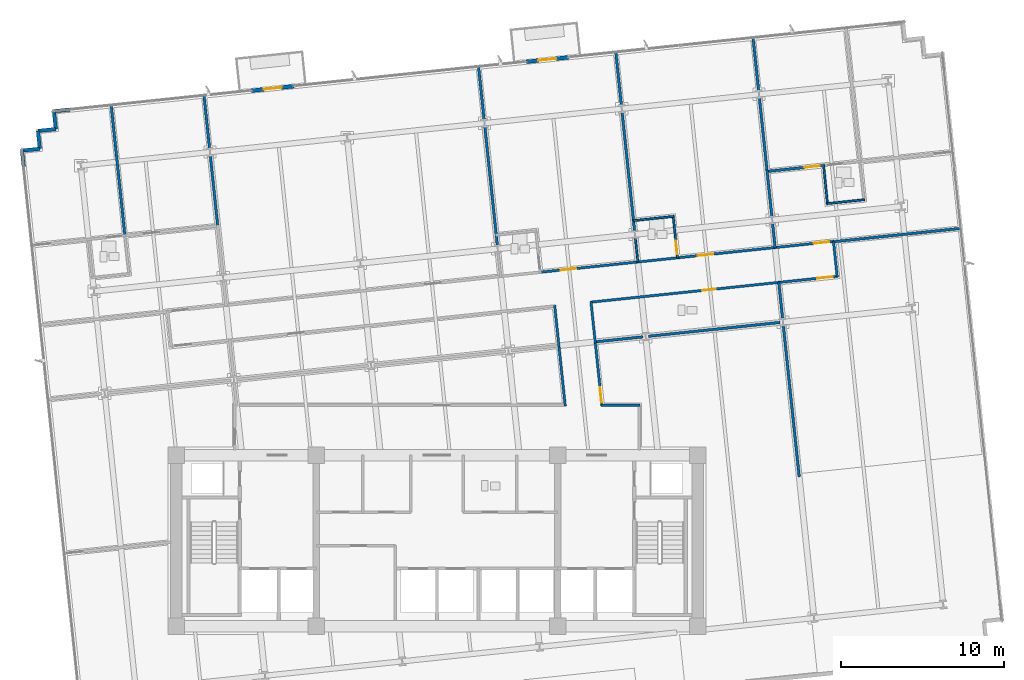
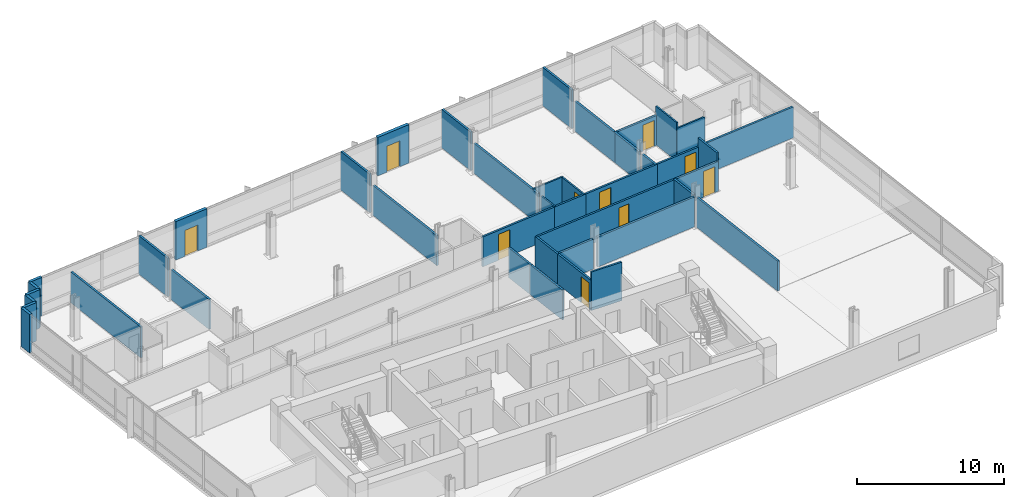
# One storey, part 12 of 18: 42 walls, 10 doors, 10 openings.
"""IFC4 building model written with IfcOpenShell, lengths in metres."""

from ifc_helpers import new_model, si_unit, direction, frame, frame_2d, origin, place, context, subcontext, project, spatial, rectangle, extrude, material, layer, layer_set, type_object, element, fill, save


model = new_model("IFC4")

# Units and contexts
model_context = context("Model", 3, precision=1e-05, world=origin(), true_north=direction((0.0, 1.0)))
body_context = subcontext(model_context, "Body", "Model", "MODEL_VIEW")
ifc_project = project(units=[si_unit("LENGTHUNIT", "METRE"), si_unit("AREAUNIT", "SQUARE_METRE"), si_unit("VOLUMEUNIT", "CUBIC_METRE"), si_unit("PLANEANGLEUNIT", "RADIAN"), si_unit("MASSUNIT", "GRAM", prefix="KILO")], contexts=[model_context])

# Site, building, storey
site_placement = place(None, origin())
site = spatial("IfcSite", under=ifc_project, at=site_placement, CompositionType="ELEMENT")
building_placement = place(site_placement, origin())
building = spatial("IfcBuilding", under=site, at=building_placement, Name="Solmavex Isthmus Hotel", CompositionType="ELEMENT")
storey_placement = place(building_placement, frame((0.0, 0.0, 123.60009765625)))
storey = spatial("IfcBuildingStorey", under=building, at=storey_placement, Name="L33", CompositionType="ELEMENT", Elevation=123.60009765625)

# Wall, opening, door
ifc_material_1 = material(Name="Precast Concrete C40/50", Category="concrete")
ifc_layer_1 = layer(ifc_material_1, 0.25)
ifc_layer_set_1 = layer_set([ifc_layer_1], Name="Precast Concrete C40/50")
wall_type_1 = type_object("IfcWallType", Name="EW-TWR-250", PredefinedType="STANDARD", material=ifc_layer_set_1)
wall_1_placement = place(storey_placement, frame((-11.374267578125, 19.859130859375, 0.0), z_axis=(0.0, 0.0, 1.0), x_axis=(0.994524472508, 0.104503940512, 0.0)))
wall_1 = element("IfcWall", 1, at=wall_1_placement, inside=storey, type_object=wall_type_1, Name="Exterior Balcony Door Wall L33-2", PredefinedType="STANDARD", context=body_context, shape_type="SweptSolid", body=[
    extrude(rectangle(XDim=2.60009765625, YDim=0.239990234375, at=frame_2d((1.300048828125, 0.0))), origin(), (0.0, 0.0, 1.0), 3.18994140625),
])
opening_1_placement = place(wall_1_placement, frame((0.75, 0.0, 0.0)))
opening_1 = element("IfcOpeningElement", 2, at=opening_1_placement, cuts=wall_1, Name="Opening ED-02", PredefinedType="OPENING", context=body_context, shape_type="SweptSolid", body=[
    extrude(rectangle(XDim=1.10009765625, YDim=2.14990234375, at=frame_2d((0.550048828125, 1.074951171875))), frame((0.0, 0.1298828125, 0.0), z_axis=(0.0, -1.0, 0.0), x_axis=(1.0, 0.0, 0.0)), (0.0, 0.0, 1.0), 0.260009765625),
])
ifc_material_2 = material(Name="Aluminium alloy 6063-T6", Category="aluminium")
door_type_1 = type_object("IfcDoorType", Name="EDR-BALC-1100", OperationType="NOTDEFINED", PredefinedType="DOOR", material=ifc_material_2)
door_1_placement = place(opening_1_placement, origin())
door_1 = element("IfcDoor", 3, at=door_1_placement, inside=storey, type_object=door_type_1, Name="Balcony & Terrace Glazed Door L33-2", OperationType="SINGLE_SWING_RIGHT", OverallHeight=2.14990234375, OverallWidth=1.10009765625, PredefinedType="DOOR", context=body_context, shape_type="SweptSolid", body=[
    extrude(rectangle(XDim=1.10009765625, YDim=2.14990234375, at=frame_2d((0.550048828125, 1.074951171875))), frame((0.0, 0.02490234375, 0.0), z_axis=(0.0, -1.0, 0.0), x_axis=(1.0, 0.0, 0.0)), (0.0, 0.0, 1.0), 0.050048828125),
])
fill(opening_1, door_1)

wall_2_placement = place(storey_placement, frame((5.465087890625, 21.629150390625, 0.0), z_axis=(0.0, 0.0, 1.0), x_axis=(0.994523446942, 0.104513699976, 0.0)))
wall_2 = element("IfcWall", 4, at=wall_2_placement, inside=storey, type_object=wall_type_1, Name="Exterior Balcony Door Wall L33-3", PredefinedType="STANDARD", context=body_context, shape_type="SweptSolid", body=[
    extrude(rectangle(XDim=2.599853515625, YDim=0.239990234375, at=frame_2d((1.2998046875, 0.0))), origin(), (0.0, 0.0, 1.0), 3.18994140625),
])
opening_2_placement = place(wall_2_placement, frame((0.75, 0.0, 0.0)))
opening_2 = element("IfcOpeningElement", 5, at=opening_2_placement, cuts=wall_2, Name="Opening ED-02", PredefinedType="OPENING", context=body_context, shape_type="SweptSolid", body=[
    extrude(rectangle(XDim=1.10009765625, YDim=2.14990234375, at=frame_2d((0.550048828125, 1.074951171875))), frame((0.0, 0.1298828125, 0.0), z_axis=(0.0, -1.0, 0.0), x_axis=(1.0, 0.0, 0.0)), (0.0, 0.0, 1.0), 0.260009765625),
])
door_2_placement = place(opening_2_placement, origin())
door_2 = element("IfcDoor", 6, at=door_2_placement, inside=storey, type_object=door_type_1, Name="Balcony & Terrace Glazed Door L33-3", OperationType="SINGLE_SWING_LEFT", OverallHeight=2.14990234375, OverallWidth=1.10009765625, PredefinedType="DOOR", context=body_context, shape_type="SweptSolid", body=[
    extrude(rectangle(XDim=1.10009765625, YDim=2.14990234375, at=frame_2d((0.550048828125, 1.074951171875))), frame((0.0, 0.02490234375, 0.0), z_axis=(0.0, -1.0, 0.0), x_axis=(1.0, 0.0, 0.0)), (0.0, 0.0, 1.0), 0.050048828125),
])
fill(opening_2, door_2)

# Walls
wall_3_placement = place(storey_placement, frame((-25.35400390625, 15.1923828125, 0.0), z_axis=(0.0, 0.0, 1.0), x_axis=(-0.104556418955, 0.99451895671, 0.0)))
element("IfcWall", 7, at=wall_3_placement, inside=storey, type_object=wall_type_1, Name="Serrated Corner Facade Panel L33-07", PredefinedType="STANDARD", context=body_context, shape_type="SweptSolid", body=[
    extrude(rectangle(XDim=0.989990234375, YDim=0.219970703125, at=frame_2d((0.4951171875, 0.0))), origin(), (0.0, 0.0, 1.0), 3.18994140625),
])
wall_4_placement = place(storey_placement, frame((-25.45751953125, 16.177001953125, 0.0), z_axis=(0.0, 0.0, 1.0), x_axis=(0.994521251134, 0.104534592565, 0.0)))
element("IfcWall", 8, at=wall_4_placement, inside=storey, type_object=wall_type_1, Name="Serrated Corner Facade Panel L33-08", PredefinedType="STANDARD", context=body_context, shape_type="SweptSolid", body=[
    extrude(rectangle(XDim=1.10009765625, YDim=0.219970703125, at=frame_2d((0.550048828125, 0.0))), origin(), (0.0, 0.0, 1.0), 3.18994140625),
])
wall_5_placement = place(storey_placement, frame((-24.363525390625, 16.2919921875, 0.0), z_axis=(0.0, 0.0, 1.0), x_axis=(-0.104557671117, 0.994518825066, 0.0)))
element("IfcWall", 9, at=wall_5_placement, inside=storey, type_object=wall_type_1, Name="Serrated Corner Facade Panel L33-09", PredefinedType="STANDARD", context=body_context, shape_type="SweptSolid", body=[
    extrude(rectangle(XDim=1.099853515625, YDim=0.219970703125, at=frame_2d((0.5498046875, 0.0))), origin(), (0.0, 0.0, 1.0), 3.18994140625),
])
for number, where, z_axis, x_axis, name in (
    (10, (-24.478515625, 17.3857421875, 0.0), (0.0, 0.0, 1.0), (0.994521251134, 0.104534592565, 0.0), "Serrated Corner Facade Panel L33-10"),
    (11, (-23.384521484375, 17.500732421875, 0.0), (0.0, 0.0, 1.0), (-0.104534592565, 0.994521251134, 0.0), "Serrated Corner Facade Panel L33-11"),
):
    element("IfcWall", number, at=place(storey_placement, frame(where, z_axis=z_axis, x_axis=x_axis)), inside=storey, type_object=wall_type_1, Name=name, PredefinedType="STANDARD", context=body_context, shape_type="SweptSolid", body=[
        extrude(rectangle(XDim=1.10009765625, YDim=0.219970703125, at=frame_2d((0.550048828125, 0.0))), origin(), (0.0, 0.0, 1.0), 3.18994140625),
    ])
wall_6_placement = place(storey_placement, frame((-23.49951171875, 18.5947265625, 0.0), z_axis=(0.0, 0.0, 1.0), x_axis=(0.99451895671, 0.104556418955, 0.0)))
element("IfcWall", 12, at=wall_6_placement, inside=storey, type_object=wall_type_1, Name="Serrated Corner Facade Panel L33-12", PredefinedType="STANDARD", context=body_context, shape_type="SweptSolid", body=[
    extrude(rectangle(XDim=0.989990234375, YDim=0.219970703125, at=frame_2d((0.4951171875, 0.0))), origin(), (0.0, 0.0, 1.0), 3.18994140625),
])
ifc_material_3 = material(Name="Gypsum plasterboard lining", Category="gypsum")
ifc_layer_2 = layer(ifc_material_3, 0.159912109375)
ifc_layer_set_2 = layer_set([ifc_layer_2], Name="Gypsum plasterboard lining")
wall_type_2 = type_object("IfcWallType", Name="IW-COMP-160", PredefinedType="PARTITIONING", material=ifc_layer_set_2)
wall_7_placement = place(storey_placement, frame((-19.988037109375, 18.994140625, 0.0), z_axis=(0.0, 0.0, 1.0), x_axis=(0.10452341909, -0.99452242552, 0.0)))
element("IfcWall", 13, at=wall_7_placement, inside=storey, type_object=wall_type_2, Name="Interior Partition Wall W-L33-P030", PredefinedType="PARTITIONING", context=body_context, shape_type="SweptSolid", body=[
    extrude(rectangle(XDim=8.112060546875, YDim=0.159912109375, at=frame_2d((4.05615234375, 0.0))), origin(), (0.0, 0.0, 1.0), 2.55322265625),
])
wall_8_placement = place(storey_placement, frame((-14.29541015625, 19.59228515625, 0.0), z_axis=(0.0, 0.0, 1.0), x_axis=(0.10455555946, -0.99451904707, 0.0)))
element("IfcWall", 14, at=wall_8_placement, inside=storey, type_object=wall_type_2, Name="Interior Partition Wall W-L33-P032", PredefinedType="PARTITIONING", context=body_context, shape_type="SweptSolid", body=[
    extrude(rectangle(XDim=3.34375, YDim=0.159912109375, at=frame_2d((1.671875, 0.0))), origin(), (0.0, 0.0, 1.0), 3.18994140625),
])
wall_9_placement = place(storey_placement, frame((-13.908935546875, 15.91650390625, 0.0), z_axis=(0.0, 0.0, 1.0), x_axis=(0.104494833314, -0.994525429444, 0.0)))
element("IfcWall", 15, at=wall_9_placement, inside=storey, type_object=wall_type_2, Name="Interior Partition Wall W-L33-P033", PredefinedType="PARTITIONING", context=body_context, shape_type="SweptSolid", body=[
    extrude(rectangle(XDim=4.415771484375, YDim=0.159912109375, at=frame_2d((2.2080078125, 0.0))), origin(), (0.0, 0.0, 1.0), 2.4794921875),
])
wall_10_placement = place(storey_placement, frame((2.5439453125, 21.3623046875, 0.0), z_axis=(0.0, 0.0, 1.0), x_axis=(0.10455555946, -0.99451904707, 0.0)))
element("IfcWall", 16, at=wall_10_placement, inside=storey, type_object=wall_type_2, Name="Interior Partition Wall W-L33-P034", PredefinedType="PARTITIONING", context=body_context, shape_type="SweptSolid", body=[
    extrude(rectangle(XDim=3.34375, YDim=0.159912109375, at=frame_2d((1.671875, 0.0))), origin(), (0.0, 0.0, 1.0), 3.18994140625),
])
wall_11_placement = place(storey_placement, frame((2.93017578125, 17.686279296875, 0.0), z_axis=(0.0, 0.0, 1.0), x_axis=(0.104555973927, -0.994519003497, 0.0)))
element("IfcWall", 17, at=wall_11_placement, inside=storey, type_object=wall_type_2, Name="Interior Partition Wall W-L33-P035", PredefinedType="PARTITIONING", context=body_context, shape_type="SweptSolid", body=[
    extrude(rectangle(XDim=7.399658203125, YDim=0.159912109375, at=frame_2d((3.69970703125, 0.0))), origin(), (0.0, 0.0, 1.0), 2.4794921875),
])
wall_12_placement = place(storey_placement, frame((10.963623046875, 22.2470703125, 0.0), z_axis=(0.0, 0.0, 1.0), x_axis=(0.10448334315, -0.994526636649, 0.0)))
element("IfcWall", 18, at=wall_12_placement, inside=storey, type_object=wall_type_2, Name="Interior Partition Wall W-L33-P039", PredefinedType="PARTITIONING", context=body_context, shape_type="SweptSolid", body=[
    extrude(rectangle(XDim=3.34375, YDim=0.159912109375, at=frame_2d((1.671875, 0.0))), origin(), (0.0, 0.0, 1.0), 3.18994140625),
])
wall_13_placement = place(storey_placement, frame((11.349853515625, 18.5712890625, 0.0), z_axis=(0.0, 0.0, 1.0), x_axis=(0.104523341075, -0.994522433719, 0.0)))
element("IfcWall", 19, at=wall_13_placement, inside=storey, type_object=wall_type_2, Name="Interior Partition Wall W-L33-P040", PredefinedType="PARTITIONING", context=body_context, shape_type="SweptSolid", body=[
    extrude(rectangle(XDim=7.399658203125, YDim=0.159912109375, at=frame_2d((3.69970703125, 0.0))), origin(), (0.0, 0.0, 1.0), 2.4794921875),
])
wall_14_placement = place(storey_placement, frame((20.2392578125, 14.987060546875, 0.0), z_axis=(0.0, 0.0, 1.0), x_axis=(0.104518588235, -0.994522933226, 0.0)))
element("IfcWall", 20, at=wall_14_placement, inside=storey, type_object=wall_type_2, Name="Interior Partition Wall W-L33-P044", PredefinedType="PARTITIONING", context=body_context, shape_type="SweptSolid", body=[
    extrude(rectangle(XDim=2.90576171875, YDim=0.159912109375, at=frame_2d((1.452880859375, 0.0))), origin(), (0.0, 0.0, 1.0), 2.4794921875),
])
wall_15_placement = place(storey_placement, frame((20.579833984375, 11.74658203125, 0.0), z_axis=(0.0, 0.0, 1.0), x_axis=(0.104578999325, -0.994516582516, 0.0)))
element("IfcWall", 21, at=wall_15_placement, inside=storey, type_object=wall_type_2, Name="Interior Partition Wall W-L33-P045", PredefinedType="PARTITIONING", context=body_context, shape_type="SweptSolid", body=[
    extrude(rectangle(XDim=1.561767578125, YDim=0.159912109375, at=frame_2d((0.78076171875, 0.0))), origin(), (0.0, 0.0, 1.0), 2.4794921875),
])
wall_16_placement = place(storey_placement, frame((19.383056640625, 23.132080078125, 0.0), z_axis=(0.0, 0.0, 1.0), x_axis=(0.10455555946, -0.99451904707, 0.0)))
element("IfcWall", 22, at=wall_16_placement, inside=storey, type_object=wall_type_2, Name="Interior Partition Wall W-L33-P046", PredefinedType="PARTITIONING", context=body_context, shape_type="SweptSolid", body=[
    extrude(rectangle(XDim=3.34375, YDim=0.159912109375, at=frame_2d((1.671875, 0.0))), origin(), (0.0, 0.0, 1.0), 3.18994140625),
])
wall_17_placement = place(storey_placement, frame((19.76953125, 19.456298828125, 0.0), z_axis=(0.0, 0.0, 1.0), x_axis=(0.1045156188, -0.994523245292, 0.0)))
element("IfcWall", 23, at=wall_17_placement, inside=storey, type_object=wall_type_2, Name="Interior Partition Wall W-L33-P047", PredefinedType="PARTITIONING", context=body_context, shape_type="SweptSolid", body=[
    extrude(rectangle(XDim=4.65771484375, YDim=0.159912109375, at=frame_2d((2.328857421875, 0.0))), origin(), (0.0, 0.0, 1.0), 2.4794921875),
])

# Wall, opening, door
wall_18_placement = place(storey_placement, frame((20.2080078125, 14.9013671875, 0.0), z_axis=(0.0, 0.0, 1.0), x_axis=(0.994528326067, 0.104467261141, 0.0)))
wall_18 = element("IfcWall", 24, at=wall_18_placement, inside=storey, type_object=wall_type_2, Name="Interior Partition Wall W-L33-P048", PredefinedType="PARTITIONING", context=body_context, shape_type="SweptSolid", body=[
    extrude(rectangle(XDim=3.56396484375, YDim=0.159912109375, at=frame_2d((1.781982421875, 0.0))), origin(), (0.0, 0.0, 1.0), 2.4794921875),
])
opening_3_placement = place(wall_18_placement, frame((2.331298828125, 0.0, 0.0)))
opening_3 = element("IfcOpeningElement", 25, at=opening_3_placement, cuts=wall_18, Name="Opening ID-C095", PredefinedType="OPENING", context=body_context, shape_type="SweptSolid", body=[
    extrude(rectangle(XDim=0.949951171875, YDim=2.14990234375, at=frame_2d((0.47509765625, 1.074951171875))), frame((0.0, 0.08984375, 0.0), z_axis=(0.0, -1.0, 0.0), x_axis=(1.0, 0.0, 0.0)), (0.0, 0.0, 1.0), 0.179931640625),
])
ifc_material_4 = material(Name="Hardwood timber", Category="wood")
door_type_2 = type_object("IfcDoorType", Name="IDR-FD60-0950", OperationType="NOTDEFINED", PredefinedType="DOOR", material=ifc_material_4)
door_3_placement = place(opening_3_placement, origin())
door_3 = element("IfcDoor", 26, at=door_3_placement, inside=storey, type_object=door_type_2, Name="Ambassador Panorama Suite Master Bedroom Door L33-11", OperationType="SINGLE_SWING_LEFT", OverallHeight=2.14990234375, OverallWidth=0.949951171875, PredefinedType="DOOR", context=body_context, shape_type="SweptSolid", body=[
    extrude(rectangle(XDim=0.949951171875, YDim=2.14990234375, at=frame_2d((0.47509765625, 1.074951171875))), frame((0.0, 0.02490234375, 0.0), z_axis=(0.0, -1.0, 0.0), x_axis=(1.0, 0.0, 0.0)), (0.0, 0.0, 1.0), 0.050048828125),
])
fill(opening_3, door_3)

# Walls
wall_19_placement = place(storey_placement, frame((32.166015625, 11.4140625, 0.0), z_axis=(0.0, 0.0, 1.0), x_axis=(-0.994522987852, -0.104518068455, 0.0)))
element("IfcWall", 27, at=wall_19_placement, inside=storey, type_object=wall_type_2, Name="Interior Partition Wall W-L33-P053", PredefinedType="PARTITIONING", context=body_context, shape_type="SweptSolid", body=[
    extrude(rectangle(XDim=7.927978515625, YDim=0.159912109375, at=frame_2d((3.9638671875, 0.0))), origin(), (0.0, 0.0, 1.0), 2.55322265625),
])
wall_20_placement = place(storey_placement, frame((20.95947265625, 8.134765625, 0.0), z_axis=(0.0, 0.0, 1.0), x_axis=(0.104558463094, -0.994518741802, 0.0)))
element("IfcWall", 28, at=wall_20_placement, inside=storey, type_object=wall_type_2, Name="Interior Partition Wall W-L33-P056", PredefinedType="PARTITIONING", context=body_context, shape_type="SweptSolid", body=[
    extrude(rectangle(XDim=2.31396484375, YDim=0.159912109375, at=frame_2d((1.156982421875, 0.0))), origin(), (0.0, 0.0, 1.0), 2.4794921875),
])
wall_21_placement = place(storey_placement, frame((12.625, 4.755126953125, 0.0), z_axis=(0.0, 0.0, 1.0), x_axis=(-0.994518476722, -0.1045609844, 0.0)))
element("IfcWall", 29, at=wall_21_placement, inside=storey, type_object=wall_type_2, Name="Interior Partition Wall W-L33-P057", PredefinedType="PARTITIONING", context=body_context, shape_type="SweptSolid", body=[
    extrude(rectangle(XDim=2.97705078125, YDim=0.159912109375, at=frame_2d((1.488525390625, 0.0))), origin(), (0.0, 0.0, 1.0), 2.4794921875),
])
wall_22_placement = place(storey_placement, frame((21.04443359375, 5.639892578125, 0.0), z_axis=(0.0, 0.0, 1.0), x_axis=(-0.994521269983, -0.104534413238, 0.0)))
element("IfcWall", 30, at=wall_22_placement, inside=storey, type_object=wall_type_2, Name="Interior Partition Wall W-L33-P058", PredefinedType="PARTITIONING", context=body_context, shape_type="SweptSolid", body=[
    extrude(rectangle(XDim=8.113525390625, YDim=0.159912109375, at=frame_2d((4.056640625, 0.0))), origin(), (0.0, 0.0, 1.0), 2.4794921875),
])
wall_23_placement = place(storey_placement, frame((22.217041015625, -3.829345703125, 0.0), z_axis=(0.0, 0.0, 1.0), x_axis=(-0.104551776778, 0.994519444743, 0.0)))
element("IfcWall", 31, at=wall_23_placement, inside=storey, type_object=wall_type_2, Name="Interior Partition Wall W-L33-P067", PredefinedType="PARTITIONING", context=body_context, shape_type="SweptSolid", body=[
    extrude(rectangle(XDim=9.36376953125, YDim=0.159912109375, at=frame_2d((4.681884765625, 0.0))), origin(), (0.0, 0.0, 1.0), 2.4794921875),
])

# Wall, opening, door
ifc_layer_3 = layer(ifc_material_3, 0.14990234375)
ifc_layer_set_3 = layer_set([ifc_layer_3], Name="Gypsum plasterboard lining")
wall_type_3 = type_object("IfcWallType", Name="IW-CORR-150", PredefinedType="PARTITIONING", material=ifc_layer_set_3)
wall_24_placement = place(storey_placement, frame((6.254638671875, 8.7109375, 0.0), z_axis=(0.0, 0.0, 1.0), x_axis=(0.994525997724, 0.104489424587, 0.0)))
wall_24 = element("IfcWall", 32, at=wall_24_placement, inside=storey, type_object=wall_type_3, Name="Interior Partition Wall W-L33-P003", PredefinedType="PARTITIONING", context=body_context, shape_type="SweptSolid", body=[
    extrude(rectangle(XDim=6.18017578125, YDim=0.14990234375, at=frame_2d((3.090087890625, 0.0))), origin(), (0.0, 0.0, 1.0), 2.4794921875),
])
opening_4_placement = place(wall_24_placement, frame((1.333984375, 0.0, 0.0)))
opening_4 = element("IfcOpeningElement", 33, at=opening_4_placement, cuts=wall_24, Name="Opening ID-C095", PredefinedType="OPENING", context=body_context, shape_type="SweptSolid", body=[
    extrude(rectangle(XDim=0.949951171875, YDim=2.14990234375, at=frame_2d((0.47509765625, 1.074951171875))), frame((0.0, 0.0849609375, 0.0), z_axis=(0.0, -1.0, 0.0), x_axis=(1.0, 0.0, 0.0)), (0.0, 0.0, 1.0), 0.169921875),
])
door_4_placement = place(opening_4_placement, frame((0.949951171875, 0.0, 0.0), z_axis=(0.0, 0.0, 1.0), x_axis=(-1.0, 0.0, 0.0)))
door_4 = element("IfcDoor", 34, at=door_4_placement, inside=storey, type_object=door_type_2, Name="Diplomatic Suite Door L33-06", OperationType="SINGLE_SWING_RIGHT", OverallHeight=2.14990234375, OverallWidth=0.949951171875, PredefinedType="DOOR", context=body_context, shape_type="SweptSolid", body=[
    extrude(rectangle(XDim=0.949951171875, YDim=2.14990234375, at=frame_2d((0.47509765625, 1.074951171875))), frame((0.0, 0.02490234375, 0.0), z_axis=(0.0, -1.0, 0.0), x_axis=(1.0, 0.0, 0.0)), (0.0, 0.0, 1.0), 0.050048828125),
])
fill(opening_4, door_4)

wall_25_placement = place(storey_placement, frame((14.67431640625, 9.595703125, 0.0), z_axis=(0.0, 0.0, 1.0), x_axis=(0.994521891766, 0.104528497542, 0.0)))
wall_25 = element("IfcWall", 35, at=wall_25_placement, inside=storey, type_object=wall_type_3, Name="Interior Partition Wall W-L33-P005", PredefinedType="PARTITIONING", context=body_context, shape_type="SweptSolid", body=[
    extrude(rectangle(XDim=6.18017578125, YDim=0.14990234375, at=frame_2d((3.090087890625, 0.0))), origin(), (0.0, 0.0, 1.0), 2.4794921875),
])
opening_5_placement = place(wall_25_placement, frame((1.333984375, 0.0, 0.0)))
opening_5 = element("IfcOpeningElement", 36, at=opening_5_placement, cuts=wall_25, Name="Opening ID-C095", PredefinedType="OPENING", context=body_context, shape_type="SweptSolid", body=[
    extrude(rectangle(XDim=0.949951171875, YDim=2.14990234375, at=frame_2d((0.47509765625, 1.074951171875))), frame((0.0, 0.0849609375, 0.0), z_axis=(0.0, -1.0, 0.0), x_axis=(1.0, 0.0, 0.0)), (0.0, 0.0, 1.0), 0.169921875),
])
door_5_placement = place(opening_5_placement, frame((0.949951171875, 0.0, 0.0), z_axis=(0.0, 0.0, 1.0), x_axis=(-1.0, 0.0, 0.0)))
door_5 = element("IfcDoor", 37, at=door_5_placement, inside=storey, type_object=door_type_2, Name="Junior Suite Door L33-08", OperationType="SINGLE_SWING_RIGHT", OverallHeight=2.14990234375, OverallWidth=0.949951171875, PredefinedType="DOOR", context=body_context, shape_type="SweptSolid", body=[
    extrude(rectangle(XDim=0.949951171875, YDim=2.14990234375, at=frame_2d((0.47509765625, 1.074951171875))), frame((0.0, 0.02490234375, 0.0), z_axis=(0.0, -1.0, 0.0), x_axis=(1.0, 0.0, 0.0)), (0.0, 0.0, 1.0), 0.050048828125),
])
fill(opening_5, door_5)

# Wall
wall_26_placement = place(storey_placement, frame((12.23779296875, 9.339599609375, 0.0), z_axis=(0.0, 0.0, 1.0), x_axis=(0.994523350694, 0.104514615837, 0.0)))
element("IfcWall", 38, at=wall_26_placement, inside=storey, type_object=wall_type_3, Name="Interior Partition Wall W-L33-P006", PredefinedType="PARTITIONING", context=body_context, shape_type="SweptSolid", body=[
    extrude(rectangle(XDim=2.614013671875, YDim=0.14990234375, at=frame_2d((1.30712890625, 0.0))), origin(), (0.0, 0.0, 1.0), 2.4794921875),
])

# Wall, opening, door
wall_27_placement = place(storey_placement, frame((20.657470703125, 10.224609375, 0.0), z_axis=(0.0, 0.0, 1.0), x_axis=(0.994518385036, 0.104561856457, 0.0)))
wall_27 = element("IfcWall", 39, at=wall_27_placement, inside=storey, type_object=wall_type_3, Name="Interior Partition Wall W-L33-P007", PredefinedType="PARTITIONING", context=body_context, shape_type="SweptSolid", body=[
    extrude(rectangle(XDim=3.721923828125, YDim=0.14990234375, at=frame_2d((1.86083984375, 0.0))), origin(), (0.0, 0.0, 1.0), 2.4794921875),
])
opening_6_placement = place(wall_27_placement, frame((2.456787109375, 0.0, 0.0)))
opening_6 = element("IfcOpeningElement", 40, at=opening_6_placement, cuts=wall_27, Name="Opening ID-C095", PredefinedType="OPENING", context=body_context, shape_type="SweptSolid", body=[
    extrude(rectangle(XDim=0.949951171875, YDim=2.14990234375, at=frame_2d((0.47509765625, 1.074951171875))), frame((0.0, 0.0849609375, 0.0), z_axis=(0.0, -1.0, 0.0), x_axis=(1.0, 0.0, 0.0)), (0.0, 0.0, 1.0), 0.169921875),
])
door_6_placement = place(opening_6_placement, frame((0.949951171875, 0.0, 0.0), z_axis=(0.0, 0.0, 1.0), x_axis=(-1.0, 0.0, 0.0)))
door_6 = element("IfcDoor", 41, at=door_6_placement, inside=storey, type_object=door_type_2, Name="Ambassador Panorama Suite Living Salon Door L33-10", OperationType="SINGLE_SWING_RIGHT", OverallHeight=2.14990234375, OverallWidth=0.949951171875, PredefinedType="DOOR", context=body_context, shape_type="SweptSolid", body=[
    extrude(rectangle(XDim=0.949951171875, YDim=2.14990234375, at=frame_2d((0.47509765625, 1.074951171875))), frame((0.0, 0.02490234375, 0.0), z_axis=(0.0, -1.0, 0.0), x_axis=(1.0, 0.0, 0.0)), (0.0, 0.0, 1.0), 0.050048828125),
])
fill(opening_6, door_6)

wall_28_placement = place(storey_placement, frame((21.045166015625, 8.103515625, 0.0), z_axis=(0.0, 0.0, 1.0), x_axis=(-0.994521447183, -0.104532727376, 0.0)))
wall_28 = element("IfcWall", 42, at=wall_28_placement, inside=storey, type_object=wall_type_3, Name="Interior Partition Wall W-L33-P008", PredefinedType="PARTITIONING", context=body_context, shape_type="SweptSolid", body=[
    extrude(rectangle(XDim=11.701171875, YDim=0.14990234375, at=frame_2d((5.8505859375, 0.0))), origin(), (0.0, 0.0, 1.0), 2.4794921875),
])
opening_7_placement = place(wall_28_placement, frame((3.961181640625, 0.0, 0.0)))
opening_7 = element("IfcOpeningElement", 43, at=opening_7_placement, cuts=wall_28, Name="Opening ID-R085", PredefinedType="OPENING", context=body_context, shape_type="SweptSolid", body=[
    extrude(rectangle(XDim=0.85009765625, YDim=2.050048828125, at=frame_2d((0.425048828125, 1.02490234375))), frame((0.0, 0.0849609375, 0.0), z_axis=(0.0, -1.0, 0.0), x_axis=(1.0, 0.0, 0.0)), (0.0, 0.0, 1.0), 0.169921875),
])
ifc_material_5 = material(Name="Steel ASTM A500 Grade C", Category="steel")
door_type_3 = type_object("IfcDoorType", Name="IDR-FD60-0850", OperationType="NOTDEFINED", PredefinedType="DOOR", material=ifc_material_5)
door_7_placement = place(opening_7_placement, frame((0.85009765625, 0.0, 0.0), z_axis=(0.0, 0.0, 1.0), x_axis=(-1.0, 0.0, 0.0)))
door_7 = element("IfcDoor", 44, at=door_7_placement, inside=storey, type_object=door_type_3, Name="Public Restroom WC Door L33-14", OperationType="SINGLE_SWING_RIGHT", OverallHeight=2.050048828125, OverallWidth=0.85009765625, PredefinedType="DOOR", context=body_context, shape_type="SweptSolid", body=[
    extrude(rectangle(XDim=0.85009765625, YDim=2.050048828125, at=frame_2d((0.425048828125, 1.02490234375))), frame((0.0, 0.02490234375, 0.0), z_axis=(0.0, -1.0, 0.0), x_axis=(1.0, 0.0, 0.0)), (0.0, 0.0, 1.0), 0.050048828125),
])
fill(opening_7, door_7)

# Walls
for number, where, z_axis, x_axis, name in (
    (45, (9.44384765625, 6.92431640625, 0.0), (0.0, 0.0, 1.0), (0.104511838358, -0.994523642576, 0.0), "Interior Partition Wall W-L33-P009"),
    (46, (7.485107421875, 4.13232421875, 0.0), (0.0, 0.0, 1.0), (-0.104605724594, 0.994513771841, 0.0), "Interior Partition Wall W-L33-P012"),
):
    element("IfcWall", number, at=place(storey_placement, frame(where, z_axis=z_axis, x_axis=x_axis)), inside=storey, type_object=wall_type_3, Name=name, PredefinedType="PARTITIONING", context=body_context, shape_type="SweptSolid", body=[
        extrude(rectangle(XDim=2.572021484375, YDim=0.14990234375, at=frame_2d((1.2861328125, 0.0))), origin(), (0.0, 0.0, 1.0), 2.4794921875),
    ])
wall_29_placement = place(storey_placement, frame((7.86572265625, 0.51025390625, 0.0), z_axis=(0.0, 0.0, 1.0), x_axis=(-0.104557897706, 0.994518801244, 0.0)))
element("IfcWall", 47, at=wall_29_placement, inside=storey, type_object=wall_type_3, Name="Interior Partition Wall W-L33-P015", PredefinedType="PARTITIONING", context=body_context, shape_type="SweptSolid", body=[
    extrude(rectangle(XDim=3.805908203125, YDim=0.14990234375, at=frame_2d((1.90283203125, 0.0))), origin(), (0.0, 0.0, 1.0), 2.4794921875),
])
wall_30_placement = place(storey_placement, frame((24.317138671875, 10.62939453125, 0.0), z_axis=(0.0, 0.0, 1.0), x_axis=(0.104500773718, -0.994524805267, 0.0)))
element("IfcWall", 48, at=wall_30_placement, inside=storey, type_object=wall_type_3, Name="Interior Partition Wall W-L33-P017", PredefinedType="PARTITIONING", context=body_context, shape_type="SweptSolid", body=[
    extrude(rectangle(XDim=2.210205078125, YDim=0.14990234375, at=frame_2d((1.10498046875, 0.0))), origin(), (0.0, 0.0, 1.0), 3.18994140625),
])

# Wall, opening, door
wall_31_placement = place(storey_placement, frame((24.583740234375, 8.475341796875, 0.0), z_axis=(0.0, 0.0, 1.0), x_axis=(-0.994525920558, -0.104490159046, 0.0)))
wall_31 = element("IfcWall", 49, at=wall_31_placement, inside=storey, type_object=wall_type_3, Name="Interior Partition Wall W-L33-P018", PredefinedType="PARTITIONING", context=body_context, shape_type="SweptSolid", body=[
    extrude(rectangle(XDim=3.721923828125, YDim=0.14990234375, at=frame_2d((1.86083984375, 0.0))), origin(), (0.0, 0.0, 1.0), 2.4794921875),
])
opening_8_placement = place(wall_31_placement, frame((0.315185546875, 0.0, 0.0)))
opening_8 = element("IfcOpeningElement", 50, at=opening_8_placement, cuts=wall_31, Name="Opening ID-C095", PredefinedType="OPENING", context=body_context, shape_type="SweptSolid", body=[
    extrude(rectangle(XDim=0.949951171875, YDim=2.14990234375, at=frame_2d((0.47509765625, 1.074951171875))), frame((0.0, 0.0849609375, 0.0), z_axis=(0.0, -1.0, 0.0), x_axis=(1.0, 0.0, 0.0)), (0.0, 0.0, 1.0), 0.169921875),
])
door_8_placement = place(opening_8_placement, frame((0.949951171875, 0.0, 0.0), z_axis=(0.0, 0.0, 1.0), x_axis=(-1.0, 0.0, 0.0)))
door_8 = element("IfcDoor", 51, at=door_8_placement, inside=storey, type_object=door_type_2, Name="Corporate Briefing Office Door L33-20", OperationType="SINGLE_SWING_RIGHT", OverallHeight=2.14990234375, OverallWidth=0.949951171875, PredefinedType="DOOR", context=body_context, shape_type="SweptSolid", body=[
    extrude(rectangle(XDim=0.949951171875, YDim=2.14990234375, at=frame_2d((0.47509765625, 1.074951171875))), frame((0.0, 0.02490234375, 0.0), z_axis=(0.0, -1.0, 0.0), x_axis=(1.0, 0.0, 0.0)), (0.0, 0.0, 1.0), 0.050048828125),
])
fill(opening_8, door_8)

wall_32_placement = place(storey_placement, frame((9.695556640625, 4.529541015625, 0.0), z_axis=(0.0, 0.0, 1.0), x_axis=(0.104568433906, -0.994517693473, 0.0)))
wall_32 = element("IfcWall", 52, at=wall_32_placement, inside=storey, type_object=wall_type_3, Name="Interior Partition Wall W-L33-P019", PredefinedType="PARTITIONING", context=body_context, shape_type="SweptSolid", body=[
    extrude(rectangle(XDim=4.04150390625, YDim=0.14990234375, at=frame_2d((2.020751953125, 0.0))), origin(), (0.0, 0.0, 1.0), 2.4794921875),
])
opening_9_placement = place(wall_32_placement, frame((2.876708984375, 0.0, 0.0)))
opening_9 = element("IfcOpeningElement", 53, at=opening_9_placement, cuts=wall_32, Name="Opening ID-C095", PredefinedType="OPENING", context=body_context, shape_type="SweptSolid", body=[
    extrude(rectangle(XDim=0.949951171875, YDim=2.14990234375, at=frame_2d((0.47509765625, 1.074951171875))), frame((0.0, 0.0849609375, 0.0), z_axis=(0.0, -1.0, 0.0), x_axis=(1.0, 0.0, 0.0)), (0.0, 0.0, 1.0), 0.169921875),
])
door_9_placement = place(opening_9_placement, frame((0.949951171875, 0.0, 0.0), z_axis=(0.0, 0.0, 1.0), x_axis=(-1.0, 0.0, 0.0)))
door_9 = element("IfcDoor", 54, at=door_9_placement, inside=storey, type_object=door_type_2, Name="Executive Boardroom Door L33-21", OperationType="SINGLE_SWING_LEFT", OverallHeight=2.14990234375, OverallWidth=0.949951171875, PredefinedType="DOOR", context=body_context, shape_type="SweptSolid", body=[
    extrude(rectangle(XDim=0.949951171875, YDim=2.14990234375, at=frame_2d((0.47509765625, 1.074951171875))), frame((0.0, 0.02490234375, 0.0), z_axis=(0.0, -1.0, 0.0), x_axis=(1.0, 0.0, 0.0)), (0.0, 0.0, 1.0), 0.050048828125),
])
fill(opening_9, door_9)

# Walls
wall_33_placement = place(storey_placement, frame((10.073974609375, 0.550048828125, 0.0), z_axis=(0.0, 0.0, 1.0), x_axis=(1.0, 0.0, 0.0)))
element("IfcWall", 55, at=wall_33_placement, inside=storey, type_object=wall_type_3, Name="Interior Partition Wall W-L33-P020", PredefinedType="PARTITIONING", context=body_context, shape_type="SweptSolid", body=[
    extrude(rectangle(XDim=2.365966796875, YDim=0.14990234375, at=frame_2d((1.18310546875, 0.0))), origin(), (0.0, 0.0, 1.0), 3.18994140625),
])
ifc_layer_4 = layer(ifc_material_3, 0.1201171875)
ifc_layer_set_4 = layer_set([ifc_layer_4], Name="Gypsum plasterboard lining")
wall_type_4 = type_object("IfcWallType", Name="IW-PART-120", PredefinedType="PARTITIONING", material=ifc_layer_set_4)
wall_34_placement = place(storey_placement, frame((12.16015625, 10.86181640625, 0.0), z_axis=(0.0, 0.0, 1.0), x_axis=(0.104562743548, -0.994518291768, 0.0)))
element("IfcWall", 56, at=wall_34_placement, inside=storey, type_object=wall_type_4, Name="Interior Partition Wall W-L33-P041", PredefinedType="PARTITIONING", context=body_context, shape_type="SweptSolid", body=[
    extrude(rectangle(XDim=1.56201171875, YDim=0.1201171875, at=frame_2d((0.781005859375, 0.0))), origin(), (0.0, 0.0, 1.0), 2.4794921875),
])

# Wall, opening, door
wall_35_placement = place(storey_placement, frame((14.760009765625, 9.564453125, 0.0), z_axis=(0.0, 0.0, 1.0), x_axis=(-0.104520496269, 0.994522732701, 0.0)))
wall_35 = element("IfcWall", 57, at=wall_35_placement, inside=storey, type_object=wall_type_4, Name="Interior Partition Wall W-L33-P042", PredefinedType="PARTITIONING", context=body_context, shape_type="SweptSolid", body=[
    extrude(rectangle(XDim=2.630126953125, YDim=0.1201171875, at=frame_2d((1.31494140625, 0.0))), origin(), (0.0, 0.0, 1.0), 2.4794921875),
])
opening_10_placement = place(wall_35_placement, frame((0.247314453125, 0.0, 0.0)))
opening_10 = element("IfcOpeningElement", 58, at=opening_10_placement, cuts=wall_35, Name="Opening ID-U085", PredefinedType="OPENING", context=body_context, shape_type="SweptSolid", body=[
    extrude(rectangle(XDim=0.85009765625, YDim=2.10009765625, at=frame_2d((0.425048828125, 1.050048828125))), frame((0.0, 0.070068359375, 0.0), z_axis=(0.0, -1.0, 0.0), x_axis=(1.0, 0.0, 0.0)), (0.0, 0.0, 1.0), 0.14013671875),
])
door_type_4 = type_object("IfcDoorType", Name="IDR-UNR-0850", OperationType="NOTDEFINED", PredefinedType="DOOR", material=ifc_material_4)
door_10_placement = place(opening_10_placement, frame((0.85009765625, 0.0, 0.0), z_axis=(0.0, 0.0, 1.0), x_axis=(-1.0, 0.0, 0.0)))
door_10 = element("IfcDoor", 59, at=door_10_placement, inside=storey, type_object=door_type_4, Name="En-suite Bathroom Door L33-09", OperationType="SINGLE_SWING_LEFT", OverallHeight=2.10009765625, OverallWidth=0.85009765625, PredefinedType="DOOR", context=body_context, shape_type="SweptSolid", body=[
    extrude(rectangle(XDim=0.85009765625, YDim=2.10009765625, at=frame_2d((0.425048828125, 1.050048828125))), frame((0.0, 0.02490234375, 0.0), z_axis=(0.0, -1.0, 0.0), x_axis=(1.0, 0.0, 0.0)), (0.0, 0.0, 1.0), 0.050048828125),
])
fill(opening_10, door_10)

# Walls
wall_36_placement = place(storey_placement, frame((14.529052734375, 12.14453125, 0.0), z_axis=(0.0, 0.0, 1.0), x_axis=(-0.994523944136, -0.104508968707, 0.0)))
element("IfcWall", 60, at=wall_36_placement, inside=storey, type_object=wall_type_4, Name="Interior Partition Wall W-L33-P043", PredefinedType="PARTITIONING", context=body_context, shape_type="SweptSolid", body=[
    extrude(rectangle(XDim=2.530029296875, YDim=0.1201171875, at=frame_2d((1.26513671875, 0.0))), origin(), (0.0, 0.0, 1.0), 2.4794921875),
])
wall_37_placement = place(storey_placement, frame((23.708740234375, 15.309326171875, 0.0), z_axis=(0.0, 0.0, 1.0), x_axis=(0.100269653479, -0.994960299003, 0.0)))
element("IfcWall", 61, at=wall_37_placement, inside=storey, type_object=wall_type_4, Name="Interior Partition Wall W-L33-P050", PredefinedType="PARTITIONING", context=body_context, shape_type="SweptSolid", body=[
    extrude(rectangle(XDim=2.429931640625, YDim=0.1201171875, at=frame_2d((1.21484375, 0.0))), origin(), (0.0, 0.0, 1.0), 3.18994140625),
])
wall_38_placement = place(storey_placement, frame((23.90869140625, 12.92724609375, 0.0), z_axis=(0.0, 0.0, 1.0), x_axis=(0.994516930255, 0.104575692382, 0.0)))
element("IfcWall", 62, at=wall_38_placement, inside=storey, type_object=wall_type_4, Name="Interior Partition Wall W-L33-P051", PredefinedType="PARTITIONING", context=body_context, shape_type="SweptSolid", body=[
    extrude(rectangle(XDim=2.329833984375, YDim=0.1201171875, at=frame_2d((1.1650390625, 0.0))), origin(), (0.0, 0.0, 1.0), 2.718017578125),
])

save(model, "model.ifc")
